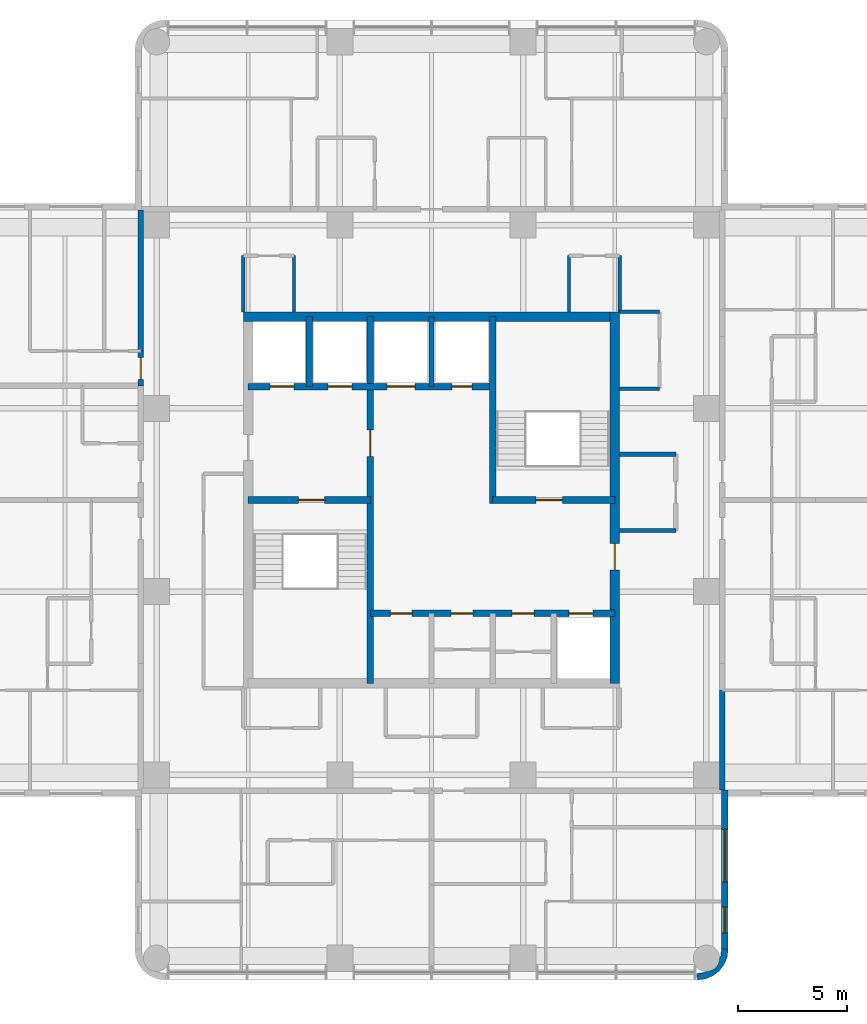
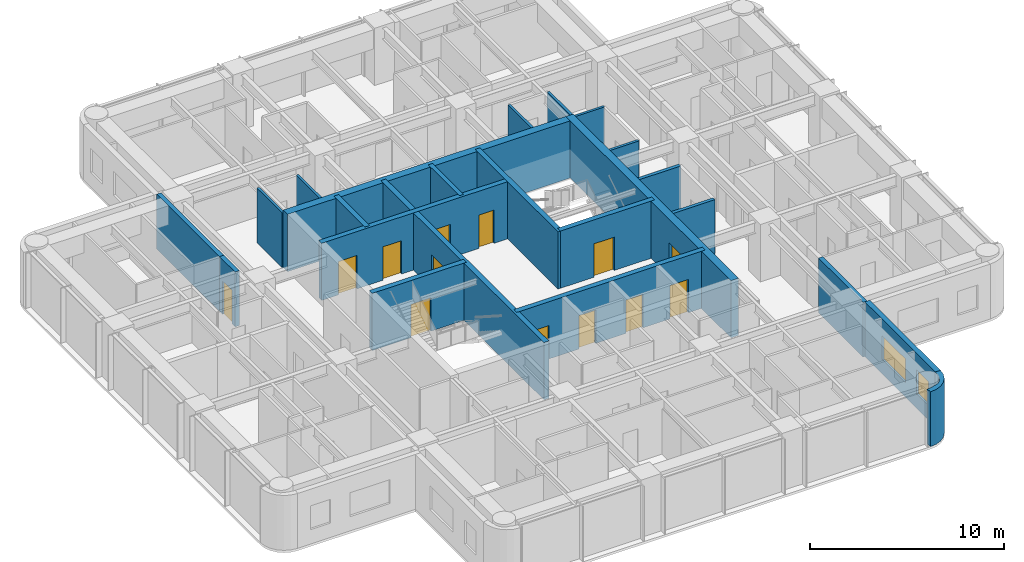
# One storey, part 6 of 10: 23 walls, 13 doors, 2 windows, 15 openings.
"""IFC4 building model written with IfcOpenShell, lengths in metres."""

from ifc_helpers import new_model, si_unit, direction, frame, frame_2d, origin, place, context, subcontext, project, spatial, polyline, rectangle, outline, extrude, material, layer, layer_set, type_object, element, fill, save


model = new_model("IFC4")

# Units and contexts
model_context = context("Model", 3, precision=1e-05, world=origin(), true_north=direction((0.0, 1.0)))
body_context = subcontext(model_context, "Body", "Model", "MODEL_VIEW")
ifc_project = project(units=[si_unit("LENGTHUNIT", "METRE"), si_unit("AREAUNIT", "SQUARE_METRE"), si_unit("VOLUMEUNIT", "CUBIC_METRE"), si_unit("PLANEANGLEUNIT", "RADIAN"), si_unit("MASSUNIT", "GRAM", prefix="KILO")], contexts=[model_context])

# Site, building, storey
site_placement = place(None, origin())
site = spatial("IfcSite", under=ifc_project, at=site_placement, CompositionType="ELEMENT")
building_placement = place(site_placement, origin())
building = spatial("IfcBuilding", under=site, at=building_placement, Name="Torre Alcanfor", CompositionType="ELEMENT")
storey_placement = place(building_placement, frame((0.0, 0.0, 293.699951171875)))
storey = spatial("IfcBuildingStorey", under=building, at=storey_placement, Name="L77", CompositionType="ELEMENT", Elevation=293.699951171875)

# Wall
ifc_material_1 = material(Name="Concrete block masonry, hollow blocks NMX-C-404 9 MPa", Category="masonry")
ifc_layer_1 = layer(ifc_material_1, 0.25)
ifc_layer_set_1 = layer_set([ifc_layer_1], Name="Apartment entrance wall 250 EI 60")
wall_type_1 = type_object("IfcWallType", Name="Apartment entrance wall 250 EI 60", PredefinedType="PARTITIONING", material=ifc_layer_set_1)
wall_1_placement = place(storey_placement, frame((42.72509765625, 20.68603515625, 0.0), z_axis=(0.0, 0.0, 1.0), x_axis=(0.0, -1.0, 0.0)))
element("IfcWall", 1, at=wall_1_placement, inside=storey, type_object=wall_type_1, Name="Partition L77-CORR / L77-E2-MASTER", PredefinedType="PARTITIONING", context=body_context, shape_type="SweptSolid", body=[
    extrude(rectangle(XDim=4.5859375, YDim=0.25, at=frame_2d((2.29296875, 0.0))), origin(), (0.0, 0.0, 1.0), 3.449951171875),
])

# Wall, opening, door
wall_2_placement = place(storey_placement, frame((16.074951171875, 34.62890625, 0.0), z_axis=(0.0, 0.0, 1.0), x_axis=(0.0, 1.0, 0.0)))
wall_2 = element("IfcWall", 2, at=wall_2_placement, inside=storey, type_object=wall_type_1, Name="Partition L77-CORR / L77-W2B-LIVING", PredefinedType="PARTITIONING", context=body_context, shape_type="SweptSolid", body=[
    extrude(rectangle(XDim=1.60009765625, YDim=0.25, at=frame_2d((0.800048828125, 0.0))), origin(), (0.0, 0.0, 1.0), 3.449951171875),
])
opening_1_placement = place(wall_2_placement, frame((0.300048828125, 0.0, 0.0)))
opening_1 = element("IfcOpeningElement", 3, at=opening_1_placement, cuts=wall_2, Name="Opening D-A1", PredefinedType="OPENING", context=body_context, shape_type="SweptSolid", body=[
    extrude(rectangle(XDim=1.0, YDim=2.10009765625, at=frame_2d((0.5, 1.050048828125))), frame((0.0, 0.135009765625, 0.0), z_axis=(0.0, -1.0, 0.0), x_axis=(1.0, 0.0, 0.0)), (0.0, 0.0, 1.0), 0.27001953125),
])
ifc_material_2 = material(Name="Galvanised steel sheet ASTM A653", Category="steel")
door_type_1 = type_object("IfcDoorType", Name="Apartment entrance door FD60 1000x2100", OperationType="SINGLE_SWING_LEFT", PredefinedType="DOOR", material=ifc_material_2)
door_1_placement = place(opening_1_placement, origin())
door_1 = element("IfcDoor", 4, at=door_1_placement, inside=storey, type_object=door_type_1, Name="Apartment entrance L77-W2B", OperationType="SINGLE_SWING_LEFT", OverallHeight=2.10009765625, OverallWidth=1.0, PredefinedType="DOOR", context=body_context, shape_type="SweptSolid", body=[
    extrude(rectangle(XDim=1.0, YDim=2.10009765625, at=frame_2d((0.5, 1.050048828125))), frame((0.0, 0.02490234375, 0.0), z_axis=(0.0, -1.0, 0.0), x_axis=(1.0, 0.0, 0.0)), (0.0, 0.0, 1.0), 0.050048828125),
])
fill(opening_1, door_1)

# Wall
wall_3_placement = place(storey_placement, frame((16.074951171875, 36.22900390625, 0.0), z_axis=(0.0, 0.0, 1.0), x_axis=(0.0, 1.0, 0.0)))
element("IfcWall", 5, at=wall_3_placement, inside=storey, type_object=wall_type_1, Name="Partition L77-CORR / L77-W2B-BATH", PredefinedType="PARTITIONING", context=body_context, shape_type="SweptSolid", body=[
    extrude(rectangle(XDim=6.470947265625, YDim=0.25, at=frame_2d((3.2353515625, 0.0))), origin(), (0.0, 0.0, 1.0), 3.449951171875),
])

# Wall, opening, door
ifc_material_3 = material(Name="Concrete f'c 70 MPa", Category="concrete")
ifc_layer_2 = layer(ifc_material_3, 0.300048828125)
ifc_layer_set_2 = layer_set([ifc_layer_2], Name="Core inner wall 300 f'c70")
wall_type_2 = type_object("IfcWallType", Name="Core inner wall 300 f'c70", PredefinedType="SHEAR", material=ifc_layer_set_2)
wall_4_placement = place(storey_placement, frame((26.60009765625, 21.0, 0.0), z_axis=(0.0, 0.0, 1.0), x_axis=(0.0, 1.0, 0.0)))
wall_4 = element("IfcWall", 6, at=wall_4_placement, inside=storey, type_object=wall_type_2, Name="Core wall X266 L77", PredefinedType="SHEAR", context=body_context, shape_type="SweptSolid", body=[
    extrude(rectangle(XDim=16.800048828125, YDim=0.300048828125, at=frame_2d((8.39990234375, 0.0))), origin(), (0.0, 0.0, 1.0), 3.60009765625),
])
opening_2_placement = place(wall_4_placement, frame((10.39990234375, 0.0, 0.0)))
opening_2 = element("IfcOpeningElement", 7, at=opening_2_placement, cuts=wall_4, Name="Opening D-L1", PredefinedType="OPENING", context=body_context, shape_type="SweptSolid", body=[
    extrude(rectangle(XDim=1.199951171875, YDim=2.10009765625, at=frame_2d((0.60009765625, 1.050048828125))), frame((0.0, 0.159912109375, 0.0), z_axis=(0.0, -1.0, 0.0), x_axis=(1.0, 0.0, 0.0)), (0.0, 0.0, 1.0), 0.320068359375),
])
ifc_material_4 = material(Name="Galvanised steel sheet ASTM A653", Category="steel")
door_type_2 = type_object("IfcDoorType", Name="Lobby door FD120 1200x2100", OperationType="SINGLE_SWING_LEFT", PredefinedType="DOOR", material=ifc_material_4)
door_2_placement = place(opening_2_placement, origin())
door_2 = element("IfcDoor", 8, at=door_2_placement, inside=storey, type_object=door_type_2, Name="Lift lobby door L77", OperationType="SINGLE_SWING_LEFT", OverallHeight=2.10009765625, OverallWidth=1.199951171875, PredefinedType="DOOR", context=body_context, shape_type="SweptSolid", body=[
    extrude(rectangle(XDim=1.199951171875, YDim=2.10009765625, at=frame_2d((0.60009765625, 1.050048828125))), frame((0.0, 0.02490234375, 0.0), z_axis=(0.0, -1.0, 0.0), x_axis=(1.0, 0.0, 0.0)), (0.0, 0.0, 1.0), 0.050048828125),
])
fill(opening_2, door_2)

wall_5_placement = place(storey_placement, frame((21.0, 29.39990234375, 0.0), z_axis=(0.0, 0.0, 1.0), x_axis=(1.0, 0.0, 0.0)))
wall_5 = element("IfcWall", 9, at=wall_5_placement, inside=storey, type_object=wall_type_2, Name="Core wall Y294W L77", PredefinedType="SHEAR", context=body_context, shape_type="SweptSolid", body=[
    extrude(rectangle(XDim=5.60009765625, YDim=0.300048828125, at=frame_2d((2.800048828125, 0.0))), origin(), (0.0, 0.0, 1.0), 3.60009765625),
])
opening_3_placement = place(wall_5_placement, frame((2.300048828125, 0.0, 0.0)))
opening_3 = element("IfcOpeningElement", 10, at=opening_3_placement, cuts=wall_5, Name="Opening D-S2", PredefinedType="OPENING", context=body_context, shape_type="SweptSolid", body=[
    extrude(rectangle(XDim=1.199951171875, YDim=2.10009765625, at=frame_2d((0.60009765625, 1.050048828125))), frame((0.0, 0.159912109375, 0.0), z_axis=(0.0, -1.0, 0.0), x_axis=(1.0, 0.0, 0.0)), (0.0, 0.0, 1.0), 0.320068359375),
])
ifc_material_5 = material(Name="Galvanised steel sheet ASTM A653", Category="steel")
door_type_3 = type_object("IfcDoorType", Name="Stair enclosure door FD120 1200x2100", OperationType="SINGLE_SWING_LEFT", PredefinedType="DOOR", material=ifc_material_5)
door_3_placement = place(opening_3_placement, frame((1.199951171875, 0.0, 0.0), z_axis=(0.0, 0.0, 1.0), x_axis=(-1.0, 0.0, 0.0)))
door_3 = element("IfcDoor", 11, at=door_3_placement, inside=storey, type_object=door_type_3, Name="Stair S1 door L77", OperationType="SINGLE_SWING_LEFT", OverallHeight=2.10009765625, OverallWidth=1.199951171875, PredefinedType="DOOR", context=body_context, shape_type="SweptSolid", body=[
    extrude(rectangle(XDim=1.199951171875, YDim=2.10009765625, at=frame_2d((0.599853515625, 1.050048828125))), frame((0.0, 0.025146484375, 0.0), z_axis=(0.0, -1.0, 0.0), x_axis=(1.0, 0.0, 0.0)), (0.0, 0.0, 1.0), 0.050048828125),
])
fill(opening_3, door_3)

# Wall, openings, doors
wall_6_placement = place(storey_placement, frame((21.0, 34.60009765625, 0.0), z_axis=(0.0, 0.0, 1.0), x_axis=(1.0, 0.0, 0.0)))
wall_6 = element("IfcWall", 12, at=wall_6_placement, inside=storey, type_object=wall_type_2, Name="Core wall Y346 L77", PredefinedType="SHEAR", context=body_context, shape_type="SweptSolid", body=[
    extrude(rectangle(XDim=11.199951171875, YDim=0.300048828125, at=frame_2d((5.60009765625, 0.0))), origin(), (0.0, 0.0, 1.0), 3.60009765625),
])
opening_4_placement = place(wall_6_placement, frame((9.35009765625, 0.0, 0.0)))
opening_4 = element("IfcOpeningElement", 13, at=opening_4_placement, cuts=wall_6, Name="Opening D-Q1", PredefinedType="OPENING", context=body_context, shape_type="SweptSolid", body=[
    extrude(rectangle(XDim=0.89990234375, YDim=2.10009765625, at=frame_2d((0.449951171875, 1.050048828125))), frame((0.0, 0.159912109375, 0.0), z_axis=(0.0, -1.0, 0.0), x_axis=(1.0, 0.0, 0.0)), (0.0, 0.0, 1.0), 0.320068359375),
])
opening_5_placement = place(wall_6_placement, frame((1.0, 0.0, 0.0)))
opening_5 = element("IfcOpeningElement", 14, at=opening_5_placement, cuts=wall_6, Name="Opening LD2", PredefinedType="OPENING", context=body_context, shape_type="SweptSolid", body=[
    extrude(rectangle(XDim=1.10009765625, YDim=2.10009765625, at=frame_2d((0.550048828125, 1.050048828125))), frame((0.0, 0.159912109375, 0.0), z_axis=(0.0, -1.0, 0.0), x_axis=(1.0, 0.0, 0.0)), (0.0, 0.0, 1.0), 0.320068359375),
])
opening_6_placement = place(wall_6_placement, frame((3.64990234375, 0.0, 0.0)))
opening_6 = element("IfcOpeningElement", 15, at=opening_6_placement, cuts=wall_6, Name="Opening LD2", PredefinedType="OPENING", context=body_context, shape_type="SweptSolid", body=[
    extrude(rectangle(XDim=1.10009765625, YDim=2.10009765625, at=frame_2d((0.550048828125, 1.050048828125))), frame((0.0, 0.159912109375, 0.0), z_axis=(0.0, -1.0, 0.0), x_axis=(1.0, 0.0, 0.0)), (0.0, 0.0, 1.0), 0.320068359375),
])
opening_7_placement = place(wall_6_placement, frame((6.35009765625, 0.0, 0.0)))
opening_7 = element("IfcOpeningElement", 16, at=opening_7_placement, cuts=wall_6, Name="Opening LD3", PredefinedType="OPENING", context=body_context, shape_type="SweptSolid", body=[
    extrude(rectangle(XDim=1.300048828125, YDim=2.10009765625, at=frame_2d((0.64990234375, 1.050048828125))), frame((0.0, 0.159912109375, 0.0), z_axis=(0.0, -1.0, 0.0), x_axis=(1.0, 0.0, 0.0)), (0.0, 0.0, 1.0), 0.320068359375),
])
ifc_material_6 = material(Name="Galvanised steel sheet ASTM A653", Category="steel")
door_type_4 = type_object("IfcDoorType", Name="Firefighting lift landing door 1100x2100", OperationType="DOUBLE_DOOR_SLIDING", PredefinedType="DOOR", material=ifc_material_6)
door_4_placement = place(opening_5_placement, origin())
door_4 = element("IfcDoor", 17, at=door_4_placement, inside=storey, type_object=door_type_4, Name="Lift landing door FL1 L77", OperationType="DOUBLE_DOOR_SLIDING", OverallHeight=2.10009765625, OverallWidth=1.10009765625, PredefinedType="DOOR", context=body_context, shape_type="SweptSolid", body=[
    extrude(rectangle(XDim=1.10009765625, YDim=2.10009765625, at=frame_2d((0.550048828125, 1.050048828125))), frame((0.0, 0.02490234375, 0.0), z_axis=(0.0, -1.0, 0.0), x_axis=(1.0, 0.0, 0.0)), (0.0, 0.0, 1.0), 0.050048828125),
])
fill(opening_5, door_4)
door_5_placement = place(opening_6_placement, origin())
door_5 = element("IfcDoor", 18, at=door_5_placement, inside=storey, type_object=door_type_4, Name="Lift landing door FL2 L77", OperationType="DOUBLE_DOOR_SLIDING", OverallHeight=2.10009765625, OverallWidth=1.10009765625, PredefinedType="DOOR", context=body_context, shape_type="SweptSolid", body=[
    extrude(rectangle(XDim=1.10009765625, YDim=2.10009765625, at=frame_2d((0.550048828125, 1.050048828125))), frame((0.0, 0.02490234375, 0.0), z_axis=(0.0, -1.0, 0.0), x_axis=(1.0, 0.0, 0.0)), (0.0, 0.0, 1.0), 0.050048828125),
])
fill(opening_6, door_5)
ifc_material_7 = material(Name="Galvanised steel sheet ASTM A653", Category="steel")
door_type_5 = type_object("IfcDoorType", Name="Riser access door FD120 900x2100", OperationType="SINGLE_SWING_LEFT", PredefinedType="DOOR", material=ifc_material_7)
door_6_placement = place(opening_4_placement, origin())
door_6 = element("IfcDoor", 19, at=door_6_placement, inside=storey, type_object=door_type_5, Name="Riser door L77", OperationType="SINGLE_SWING_LEFT", OverallHeight=2.10009765625, OverallWidth=0.89990234375, PredefinedType="DOOR", context=body_context, shape_type="SweptSolid", body=[
    extrude(rectangle(XDim=0.89990234375, YDim=2.10009765625, at=frame_2d((0.449951171875, 1.050048828125))), frame((0.0, 0.02490234375, 0.0), z_axis=(0.0, -1.0, 0.0), x_axis=(1.0, 0.0, 0.0)), (0.0, 0.0, 1.0), 0.050048828125),
])
fill(opening_4, door_6)
ifc_material_8 = material(Name="Galvanised steel sheet ASTM A653", Category="steel")
door_type_6 = type_object("IfcDoorType", Name="Service lift landing door 1300x2100", OperationType="DOUBLE_DOOR_SLIDING", PredefinedType="DOOR", material=ifc_material_8)
door_7_placement = place(opening_7_placement, origin())
door_7 = element("IfcDoor", 20, at=door_7_placement, inside=storey, type_object=door_type_6, Name="Lift landing door SL1 L77", OperationType="DOUBLE_DOOR_SLIDING", OverallHeight=2.10009765625, OverallWidth=1.300048828125, PredefinedType="DOOR", context=body_context, shape_type="SweptSolid", body=[
    extrude(rectangle(XDim=1.300048828125, YDim=2.10009765625, at=frame_2d((0.64990234375, 1.050048828125))), frame((0.0, 0.02490234375, 0.0), z_axis=(0.0, -1.0, 0.0), x_axis=(1.0, 0.0, 0.0)), (0.0, 0.0, 1.0), 0.050048828125),
])
fill(opening_7, door_7)

# Wall
wall_7_placement = place(storey_placement, frame((23.800048828125, 34.60009765625, 0.0), z_axis=(0.0, 0.0, 1.0), x_axis=(0.0, 1.0, 0.0)))
element("IfcWall", 21, at=wall_7_placement, inside=storey, type_object=wall_type_2, Name="Core wall X238 L77", PredefinedType="SHEAR", context=body_context, shape_type="SweptSolid", body=[
    extrude(rectangle(XDim=3.199951171875, YDim=0.300048828125, at=frame_2d((1.60009765625, 0.0))), origin(), (0.0, 0.0, 1.0), 3.60009765625),
])

# Wall, openings, doors
wall_8_placement = place(storey_placement, frame((26.60009765625, 24.199951171875, 0.0), z_axis=(0.0, 0.0, 1.0), x_axis=(1.0, 0.0, 0.0)))
wall_8 = element("IfcWall", 22, at=wall_8_placement, inside=storey, type_object=wall_type_2, Name="Core wall Y242 L77", PredefinedType="SHEAR", context=body_context, shape_type="SweptSolid", body=[
    extrude(rectangle(XDim=11.199951171875, YDim=0.300048828125, at=frame_2d((5.60009765625, 0.0))), origin(), (0.0, 0.0, 1.0), 3.60009765625),
])
opening_8_placement = place(wall_8_placement, frame((0.91259765625, 0.0, 0.0)))
opening_8 = element("IfcOpeningElement", 23, at=opening_8_placement, cuts=wall_8, Name="Opening D-K1", PredefinedType="OPENING", context=body_context, shape_type="SweptSolid", body=[
    extrude(rectangle(XDim=1.0, YDim=2.10009765625, at=frame_2d((0.5, 1.050048828125))), frame((0.0, 0.159912109375, 0.0), z_axis=(0.0, -1.0, 0.0), x_axis=(1.0, 0.0, 0.0)), (0.0, 0.0, 1.0), 0.320068359375),
])
opening_9_placement = place(wall_8_placement, frame((3.699951171875, 0.0, 0.0)))
opening_9 = element("IfcOpeningElement", 24, at=opening_9_placement, cuts=wall_8, Name="Opening D-K1", PredefinedType="OPENING", context=body_context, shape_type="SweptSolid", body=[
    extrude(rectangle(XDim=1.0, YDim=2.10009765625, at=frame_2d((0.5, 1.050048828125))), frame((0.0, 0.159912109375, 0.0), z_axis=(0.0, -1.0, 0.0), x_axis=(1.0, 0.0, 0.0)), (0.0, 0.0, 1.0), 0.320068359375),
])
opening_10_placement = place(wall_8_placement, frame((6.5, 0.0, 0.0)))
opening_10 = element("IfcOpeningElement", 25, at=opening_10_placement, cuts=wall_8, Name="Opening D-K1", PredefinedType="OPENING", context=body_context, shape_type="SweptSolid", body=[
    extrude(rectangle(XDim=1.0, YDim=2.10009765625, at=frame_2d((0.5, 1.050048828125))), frame((0.0, 0.159912109375, 0.0), z_axis=(0.0, -1.0, 0.0), x_axis=(1.0, 0.0, 0.0)), (0.0, 0.0, 1.0), 0.320068359375),
])
opening_11_placement = place(wall_8_placement, frame((9.10009765625, 0.0, 0.0)))
opening_11 = element("IfcOpeningElement", 26, at=opening_11_placement, cuts=wall_8, Name="Opening LD1", PredefinedType="OPENING", context=body_context, shape_type="SweptSolid", body=[
    extrude(rectangle(XDim=1.10009765625, YDim=2.10009765625, at=frame_2d((0.550048828125, 1.050048828125))), frame((0.0, 0.159912109375, 0.0), z_axis=(0.0, -1.0, 0.0), x_axis=(1.0, 0.0, 0.0)), (0.0, 0.0, 1.0), 0.320068359375),
])
ifc_material_9 = material(Name="Galvanised steel sheet ASTM A653", Category="steel")
door_type_7 = type_object("IfcDoorType", Name="Core room door FD60 1000x2100", OperationType="SINGLE_SWING_LEFT", PredefinedType="DOOR", material=ifc_material_9)
door_8_placement = place(opening_8_placement, frame((1.0, 0.0, 0.0), z_axis=(0.0, 0.0, 1.0), x_axis=(-1.0, 0.0, 0.0)))
door_8 = element("IfcDoor", 27, at=door_8_placement, inside=storey, type_object=door_type_7, Name="Housekeeping store door L77", OperationType="SINGLE_SWING_RIGHT", OverallHeight=2.10009765625, OverallWidth=1.0, PredefinedType="DOOR", context=body_context, shape_type="SweptSolid", body=[
    extrude(rectangle(XDim=1.0, YDim=2.10009765625, at=frame_2d((0.5, 1.050048828125))), frame((0.0, 0.025146484375, 0.0), z_axis=(0.0, -1.0, 0.0), x_axis=(1.0, 0.0, 0.0)), (0.0, 0.0, 1.0), 0.050048828125),
])
fill(opening_8, door_8)
door_9_placement = place(opening_9_placement, frame((1.0, 0.0, 0.0), z_axis=(0.0, 0.0, 1.0), x_axis=(-1.0, 0.0, 0.0)))
door_9 = element("IfcDoor", 28, at=door_9_placement, inside=storey, type_object=door_type_7, Name="Staff WC door L77", OperationType="SINGLE_SWING_RIGHT", OverallHeight=2.10009765625, OverallWidth=1.0, PredefinedType="DOOR", context=body_context, shape_type="SweptSolid", body=[
    extrude(rectangle(XDim=1.0, YDim=2.10009765625, at=frame_2d((0.5, 1.050048828125))), frame((0.0, 0.025146484375, 0.0), z_axis=(0.0, -1.0, 0.0), x_axis=(1.0, 0.0, 0.0)), (0.0, 0.0, 1.0), 0.050048828125),
])
fill(opening_9, door_9)
door_10_placement = place(opening_10_placement, frame((1.0, 0.0, 0.0), z_axis=(0.0, 0.0, 1.0), x_axis=(-1.0, 0.0, 0.0)))
door_10 = element("IfcDoor", 29, at=door_10_placement, inside=storey, type_object=door_type_7, Name="Cleaners' store door L77", OperationType="SINGLE_SWING_RIGHT", OverallHeight=2.10009765625, OverallWidth=1.0, PredefinedType="DOOR", context=body_context, shape_type="SweptSolid", body=[
    extrude(rectangle(XDim=1.0, YDim=2.10009765625, at=frame_2d((0.5, 1.050048828125))), frame((0.0, 0.025146484375, 0.0), z_axis=(0.0, -1.0, 0.0), x_axis=(1.0, 0.0, 0.0)), (0.0, 0.0, 1.0), 0.050048828125),
])
fill(opening_10, door_10)
ifc_material_10 = material(Name="Galvanised steel sheet ASTM A653", Category="steel")
door_type_8 = type_object("IfcDoorType", Name="Lift landing door 1100x2100", OperationType="DOUBLE_DOOR_SLIDING", PredefinedType="DOOR", material=ifc_material_10)
door_11_placement = place(opening_11_placement, origin())
door_11 = element("IfcDoor", 30, at=door_11_placement, inside=storey, type_object=door_type_8, Name="Lift landing door PA4 L77", OperationType="DOUBLE_DOOR_SLIDING", OverallHeight=2.10009765625, OverallWidth=1.10009765625, PredefinedType="DOOR", context=body_context, shape_type="SweptSolid", body=[
    extrude(rectangle(XDim=1.10009765625, YDim=2.10009765625, at=frame_2d((0.550048828125, 1.050048828125))), frame((0.0, 0.02490234375, 0.0), z_axis=(0.0, -1.0, 0.0), x_axis=(1.0, 0.0, 0.0)), (0.0, 0.0, 1.0), 0.050048828125),
])
fill(opening_11, door_11)

# Wall
wall_9_placement = place(storey_placement, frame((32.199951171875, 29.25, 0.0), z_axis=(0.0, 0.0, 1.0), x_axis=(0.0, 1.0, 0.0)))
element("IfcWall", 31, at=wall_9_placement, inside=storey, type_object=wall_type_2, Name="Core wall X322N L77", PredefinedType="SHEAR", context=body_context, shape_type="SweptSolid", body=[
    extrude(rectangle(XDim=8.550048828125, YDim=0.300048828125, at=frame_2d((4.27490234375, 0.0))), origin(), (0.0, 0.0, 1.0), 3.60009765625),
])

# Wall, opening, door
wall_10_placement = place(storey_placement, frame((32.199951171875, 29.39990234375, 0.0), z_axis=(0.0, 0.0, 1.0), x_axis=(1.0, 0.0, 0.0)))
wall_10 = element("IfcWall", 32, at=wall_10_placement, inside=storey, type_object=wall_type_2, Name="Core wall Y294E L77", PredefinedType="SHEAR", context=body_context, shape_type="SweptSolid", body=[
    extrude(rectangle(XDim=5.60009765625, YDim=0.300048828125, at=frame_2d((2.800048828125, 0.0))), origin(), (0.0, 0.0, 1.0), 3.60009765625),
])
opening_12_placement = place(wall_10_placement, frame((2.0, 0.0, 0.0)))
opening_12 = element("IfcOpeningElement", 33, at=opening_12_placement, cuts=wall_10, Name="Opening D-S2", PredefinedType="OPENING", context=body_context, shape_type="SweptSolid", body=[
    extrude(rectangle(XDim=1.199951171875, YDim=2.10009765625, at=frame_2d((0.60009765625, 1.050048828125))), frame((0.0, 0.159912109375, 0.0), z_axis=(0.0, -1.0, 0.0), x_axis=(1.0, 0.0, 0.0)), (0.0, 0.0, 1.0), 0.320068359375),
])
door_12_placement = place(opening_12_placement, origin())
door_12 = element("IfcDoor", 34, at=door_12_placement, inside=storey, type_object=door_type_3, Name="Stair S2 door L77", OperationType="SINGLE_SWING_LEFT", OverallHeight=2.10009765625, OverallWidth=1.199951171875, PredefinedType="DOOR", context=body_context, shape_type="SweptSolid", body=[
    extrude(rectangle(XDim=1.199951171875, YDim=2.10009765625, at=frame_2d((0.60009765625, 1.050048828125))), frame((0.0, 0.02490234375, 0.0), z_axis=(0.0, -1.0, 0.0), x_axis=(1.0, 0.0, 0.0)), (0.0, 0.0, 1.0), 0.050048828125),
])
fill(opening_12, door_12)

# Wall
ifc_material_11 = material(Name="Concrete f'c 70 MPa", Category="concrete")
ifc_layer_3 = layer(ifc_material_11, 0.25)
ifc_layer_set_3 = layer_set([ifc_layer_3], Name="Core shaft wall 250 f'c70")
wall_type_3 = type_object("IfcWallType", Name="Core shaft wall 250 f'c70", PredefinedType="SHEAR", material=ifc_layer_set_3)
wall_11_placement = place(storey_placement, frame((29.39990234375, 34.60009765625, 0.0), z_axis=(0.0, 0.0, 1.0), x_axis=(0.0, 1.0, 0.0)))
element("IfcWall", 35, at=wall_11_placement, inside=storey, type_object=wall_type_3, Name="Core wall X294N L77", PredefinedType="SHEAR", context=body_context, shape_type="SweptSolid", body=[
    extrude(rectangle(XDim=3.199951171875, YDim=0.25, at=frame_2d((1.60009765625, 0.0))), origin(), (0.0, 0.0, 1.0), 3.60009765625),
])

# Wall, opening, door
ifc_material_12 = material(Name="Concrete f'c 70 MPa", Category="concrete")
ifc_layer_4 = layer(ifc_material_12, 0.449951171875)
ifc_layer_set_4 = layer_set([ifc_layer_4], Name="Core wall 450 f'c70")
wall_type_4 = type_object("IfcWallType", Name="Core wall 450 f'c70", PredefinedType="SHEAR", material=ifc_layer_set_4)
wall_12_placement = place(storey_placement, frame((37.800048828125, 21.0, 0.0), z_axis=(0.0, 0.0, 1.0), x_axis=(0.0, 1.0, 0.0)))
wall_12 = element("IfcWall", 36, at=wall_12_placement, inside=storey, type_object=wall_type_4, Name="Core wall OUT-E L77", PredefinedType="SHEAR", context=body_context, shape_type="SweptSolid", body=[
    extrude(rectangle(XDim=17.02490234375, YDim=0.449951171875, at=frame_2d((8.512451171875, 0.0))), origin(), (0.0, 0.0, 1.0), 3.60009765625),
])
opening_13_placement = place(wall_12_placement, frame((5.199951171875, 0.0, 0.0)))
opening_13 = element("IfcOpeningElement", 37, at=opening_13_placement, cuts=wall_12, Name="Opening D-L1", PredefinedType="OPENING", context=body_context, shape_type="SweptSolid", body=[
    extrude(rectangle(XDim=1.199951171875, YDim=2.10009765625, at=frame_2d((0.60009765625, 1.050048828125))), frame((0.0, 0.23486328125, 0.0), z_axis=(0.0, -1.0, 0.0), x_axis=(1.0, 0.0, 0.0)), (0.0, 0.0, 1.0), 0.469970703125),
])
door_13_placement = place(opening_13_placement, origin())
door_13 = element("IfcDoor", 38, at=door_13_placement, inside=storey, type_object=door_type_2, Name="Lift lobby entrance door L77", OperationType="SINGLE_SWING_LEFT", OverallHeight=2.10009765625, OverallWidth=1.199951171875, PredefinedType="DOOR", context=body_context, shape_type="SweptSolid", body=[
    extrude(rectangle(XDim=1.199951171875, YDim=2.10009765625, at=frame_2d((0.60009765625, 1.050048828125))), frame((0.0, 0.02490234375, 0.0), z_axis=(0.0, -1.0, 0.0), x_axis=(1.0, 0.0, 0.0)), (0.0, 0.0, 1.0), 0.050048828125),
])
fill(opening_13, door_13)

# Wall
wall_13_placement = place(storey_placement, frame((37.800048828125, 37.800048828125, 0.0), z_axis=(0.0, 0.0, 1.0), x_axis=(-1.0, 0.0, 0.0)))
element("IfcWall", 39, at=wall_13_placement, inside=storey, type_object=wall_type_4, Name="Core wall OUT-N L77", PredefinedType="SHEAR", context=body_context, shape_type="SweptSolid", body=[
    extrude(rectangle(XDim=17.025146484375, YDim=0.449951171875, at=frame_2d((8.5126953125, 0.0))), origin(), (0.0, 0.0, 1.0), 3.60009765625),
])

# Wall, openings, windows
ifc_material_13 = material(Name="Limestone cladding", Category="masonry")
ifc_layer_5 = layer(ifc_material_13, 0.0400390625, Name="Facing")
ifc_material_14 = material(Name="Ventilated air cavity")
ifc_layer_6 = layer(ifc_material_14, 0.02001953125, ventilated=True, Name="Ventilated joint")
ifc_material_15 = material(Name="Mineral wool insulation", Category="insulation")
ifc_layer_7 = layer(ifc_material_15, 0.10009765625, Name="Insulation")
ifc_material_16 = material(Name="Concrete f'c 35 MPa", Category="concrete")
ifc_layer_8 = layer(ifc_material_16, 0.139892578125, Name="Backing")
ifc_layer_set_5 = layer_set([ifc_layer_5, ifc_layer_6, ifc_layer_7, ifc_layer_8], Name="External wall stone-clad 300")
wall_type_5 = type_object("IfcWallType", Name="External wall stone-clad 300", PredefinedType="SOLIDWALL", material=ifc_layer_set_5)
wall_14_placement = place(storey_placement, frame((42.85009765625, 8.800048828125, 0.0), z_axis=(0.0, 0.0, 1.0), x_axis=(0.0, 1.0, 0.0)))
wall_14 = element("IfcWall", 40, at=wall_14_placement, inside=storey, type_object=wall_type_5, Name="External wall L77 6", PredefinedType="SOLIDWALL", context=body_context, shape_type="SweptSolid", body=[
    extrude(rectangle(XDim=7.300048828125, YDim=0.300048828125, at=frame_2d((3.64990234375, 0.0))), origin(), (0.0, 0.0, 1.0), 3.449951171875),
])
opening_14_placement = place(wall_14_placement, frame((3.10009765625, 0.0, 0.89990234375)))
opening_14 = element("IfcOpeningElement", 41, at=opening_14_placement, cuts=wall_14, Name="Opening W1", PredefinedType="OPENING", context=body_context, shape_type="SweptSolid", body=[
    extrude(rectangle(XDim=2.39990234375, YDim=1.5, at=frame_2d((1.199951171875, 0.75))), frame((0.0, 0.159912109375, 0.0), z_axis=(0.0, -1.0, 0.0), x_axis=(1.0, 0.0, 0.0)), (0.0, 0.0, 1.0), 0.320068359375),
])
opening_15_placement = place(wall_14_placement, frame((0.75, 0.0, 0.89990234375)))
opening_15 = element("IfcOpeningElement", 42, at=opening_15_placement, cuts=wall_14, Name="Opening W4", PredefinedType="OPENING", context=body_context, shape_type="SweptSolid", body=[
    extrude(rectangle(XDim=1.199951171875, YDim=1.5, at=frame_2d((0.60009765625, 0.75))), frame((0.0, 0.159912109375, 0.0), z_axis=(0.0, -1.0, 0.0), x_axis=(1.0, 0.0, 0.0)), (0.0, 0.0, 1.0), 0.320068359375),
])
ifc_material_17 = material(Name="Aluminium frame with clear double glazing", Category="aluminium")
window_type_1 = type_object("IfcWindowType", Name="Window bedroom 1200x1500", PartitioningType="SINGLE_PANEL", PredefinedType="WINDOW", material=ifc_material_17)
window_1_placement = place(opening_15_placement, origin())
window_1 = element("IfcWindow", 43, at=window_1_placement, inside=storey, type_object=window_type_1, Name="Window W4 L77-S1", OverallHeight=1.5, OverallWidth=1.199951171875, PartitioningType="SINGLE_PANEL", PredefinedType="WINDOW", context=body_context, shape_type="SweptSolid", body=[
    extrude(rectangle(XDim=1.199951171875, YDim=1.5, at=frame_2d((0.60009765625, 0.75))), frame((0.0, 0.030029296875, 0.0), z_axis=(0.0, -1.0, 0.0), x_axis=(1.0, 0.0, 0.0)), (0.0, 0.0, 1.0), 0.06005859375),
])
fill(opening_15, window_1)
ifc_material_18 = material(Name="Aluminium frame with clear double glazing", Category="aluminium")
window_type_2 = type_object("IfcWindowType", Name="Window bedroom 2400x1500", PartitioningType="SINGLE_PANEL", PredefinedType="WINDOW", material=ifc_material_18)
window_2_placement = place(opening_14_placement, origin())
window_2 = element("IfcWindow", 44, at=window_2_placement, inside=storey, type_object=window_type_2, Name="Window W1 L77-S1", OverallHeight=1.5, OverallWidth=2.39990234375, PartitioningType="SINGLE_PANEL", PredefinedType="WINDOW", context=body_context, shape_type="SweptSolid", body=[
    extrude(rectangle(XDim=2.39990234375, YDim=1.5, at=frame_2d((1.199951171875, 0.75))), frame((0.0, 0.030029296875, 0.0), z_axis=(0.0, -1.0, 0.0), x_axis=(1.0, 0.0, 0.0)), (0.0, 0.0, 1.0), 0.06005859375),
])
fill(opening_14, window_2)

# Walls
ifc_material_19 = material(Name="Concrete block masonry, hollow blocks NMX-C-404 9 MPa", Category="masonry")
ifc_layer_9 = layer(ifc_material_19, 0.199951171875)
ifc_layer_set_6 = layer_set([ifc_layer_9], Name="Plant room wall 200 EI 60")
wall_type_6 = type_object("IfcWallType", Name="Plant room wall 200 EI 60", PredefinedType="PARTITIONING", material=ifc_layer_set_6)
for number, where, z_axis, x_axis, name in (
    (45, (38.02490234375, 28.0, 0.0), (0.0, 0.0, 1.0), (1.0, 0.0, 0.0), "Partition L77-CORR / L77-G03"),
    (46, (40.60009765625, 31.5, 0.0), (0.0, 0.0, 1.0), (-1.0, 0.0, 0.0), "Partition L77-CORR / L77-G03"),
):
    element("IfcWall", number, at=place(storey_placement, frame(where, z_axis=z_axis, x_axis=x_axis)), inside=storey, type_object=wall_type_6, Name=name, PredefinedType="PARTITIONING", context=body_context, shape_type="SweptSolid", body=[
        extrude(rectangle(XDim=2.5751953125, YDim=0.199951171875, at=frame_2d((1.28759765625, 0.0))), origin(), (0.0, 0.0, 1.0), 3.449951171875),
    ])
ifc_material_20 = material(Name="Concrete block masonry, hollow blocks NMX-C-404 9 MPa", Category="masonry")
ifc_layer_10 = layer(ifc_material_20, 0.14990234375)
ifc_layer_set_7 = layer_set([ifc_layer_10], Name="Residents' room partition 150")
wall_type_7 = type_object("IfcWallType", Name="Residents' room partition 150", PredefinedType="PARTITIONING", material=ifc_layer_set_7)
for number, where, z_axis, x_axis, name in (
    (47, (23.10009765625, 38.02490234375, 0.0), (0.0, 0.0, 1.0), (0.0, 1.0, 0.0), "Partition L77-CORR / L77-G01"),
    (48, (20.77490234375, 40.60009765625, 0.0), (0.0, 0.0, 1.0), (0.0, -1.0, 0.0), "Partition L77-CORR / L77-G01"),
    (49, (38.02490234375, 38.02490234375, 0.0), (0.0, 0.0, 1.0), (0.0, 1.0, 0.0), "Partition L77-CORR / L77-G02"),
    (50, (35.699951171875, 40.60009765625, 0.0), (0.0, 0.0, 1.0), (0.0, -1.0, 0.0), "Partition L77-CORR / L77-G02"),
):
    element("IfcWall", number, at=place(storey_placement, frame(where, z_axis=z_axis, x_axis=x_axis)), inside=storey, type_object=wall_type_7, Name=name, PredefinedType="PARTITIONING", context=body_context, shape_type="SweptSolid", body=[
        extrude(rectangle(XDim=2.5751953125, YDim=0.14990234375, at=frame_2d((1.28759765625, 0.0))), origin(), (0.0, 0.0, 1.0), 3.449951171875),
    ])
for number, where, z_axis, x_axis, name in (
    (51, (38.02490234375, 34.5, 0.0), (0.0, 0.0, 1.0), (1.0, 0.0, 0.0), "Partition L77-CORR / L77-G04"),
    (52, (39.85009765625, 38.02490234375, 0.0), (0.0, 0.0, 1.0), (-1.0, 0.0, 0.0), "Partition L77-CORR / L77-G04"),
):
    element("IfcWall", number, at=place(storey_placement, frame(where, z_axis=z_axis, x_axis=x_axis)), inside=storey, type_object=wall_type_7, Name=name, PredefinedType="PARTITIONING", context=body_context, shape_type="SweptSolid", body=[
        extrude(rectangle(XDim=1.8251953125, YDim=0.14990234375, at=frame_2d((0.91259765625, 0.0))), origin(), (0.0, 0.0, 1.0), 3.449951171875),
    ])
ifc_layer_11 = layer(ifc_material_13, 0.0400390625, Name="Facing")
ifc_layer_12 = layer(ifc_material_14, 0.02001953125, ventilated=True, Name="Ventilated joint")
ifc_layer_13 = layer(ifc_material_15, 0.10009765625, Name="Insulation")
ifc_layer_14 = layer(ifc_material_16, 0.139892578125, Name="Backing")
ifc_layer_set_8 = layer_set([ifc_layer_11, ifc_layer_12, ifc_layer_13, ifc_layer_14], Name="Rounded corner pier stone-clad 300")
wall_type_8 = type_object("IfcWallType", Name="Rounded corner pier stone-clad 300", PredefinedType="SOLIDWALL", material=ifc_layer_set_8)
wall_15_placement = place(storey_placement, frame((41.638418254, 7.824101883, 0.0), z_axis=(0.0, 0.0, 1.0), x_axis=(0.707106781187, -0.707106781187, 0.0)))
element("IfcWall", 53, at=wall_15_placement, inside=storey, type_object=wall_type_8, Name="Corner pier L77 16", PredefinedType="SOLIDWALL", context=body_context, shape_type="SweptSolid", body=[
    extrude(outline(polyline([(0.0325517960828704, 1.468682453281438), (0.04670774238592146, 1.4545265069783868), (0.23297927971509252, 1.2116311844370118), (0.29219256729980597, 1.0692085539489986), (0.35796592756154294, 1.0034351936872616), (0.44946167805687254, 0.7824643245664655), (0.44946167805687254, 0.5431943053466035), (0.3577932940700423, 0.322396069717308), (0.2921925672998059, 0.2567953429470716), (0.23315191320659318, 0.1142000789675579), (0.046707742385921465, -0.12886787706531783), (0.03272442957437109, -0.14285118987686818), (0.2728576162517362, -0.3270511253080318), (0.4952095533045373, -0.03702685958698693), (0.6350426814200412, 0.3006442497882296), (0.6826895250742129, 0.6628293149565345), (0.635042681420041, 1.0253596471078406), (0.49520955330453736, 1.3630307564830573), (0.2726849827602357, 1.6528823887126016), (0.0325517960828704, 1.468682453281438)])), origin(), (0.0, 0.0, 1.0), 3.449951171875),
])

save(model, "model.ifc")
